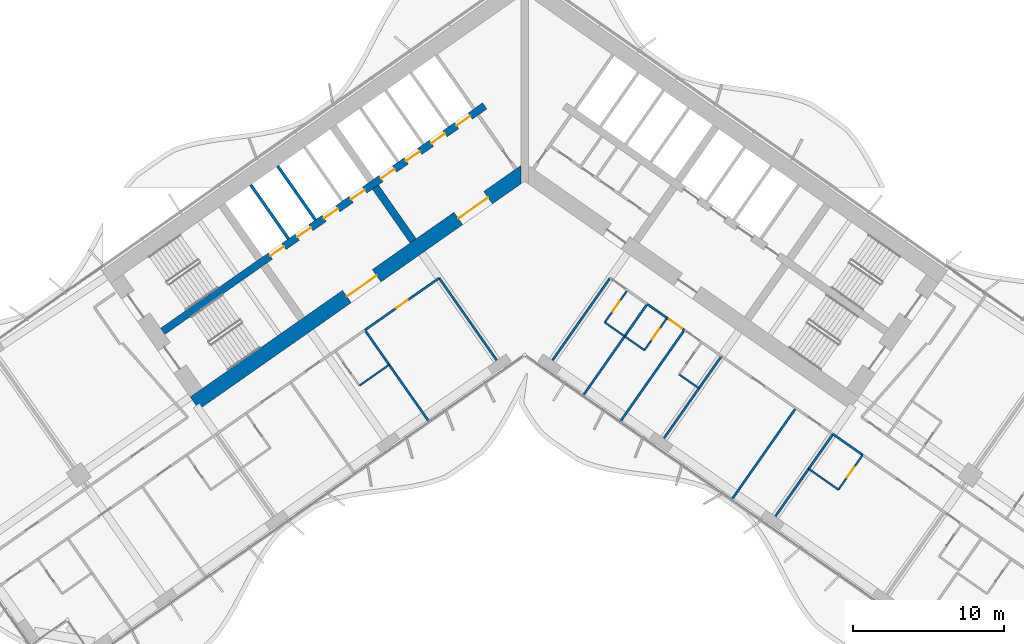
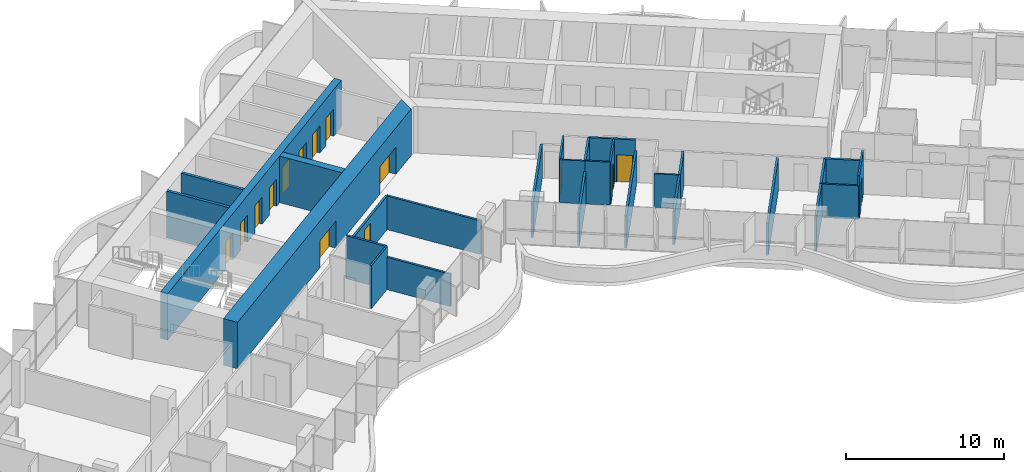
# One storey, part 13 of 23: 29 walls, 15 doors, 15 openings.
"""IFC4 building model written with IfcOpenShell, lengths in metres."""

from ifc_helpers import new_model, si_unit, direction, frame, frame_2d, origin, place, context, subcontext, project, spatial, polyline, rectangle, outline, extrude, material, layer, layer_set, type_object, element, fill, save


model = new_model("IFC4")

# Units and contexts
model_context = context("Model", 3, precision=1e-05, world=origin(), true_north=direction((0.0, 1.0)))
body_context = subcontext(model_context, "Body", "Model", "MODEL_VIEW")
ifc_project = project(units=[si_unit("LENGTHUNIT", "METRE"), si_unit("AREAUNIT", "SQUARE_METRE"), si_unit("VOLUMEUNIT", "CUBIC_METRE"), si_unit("PLANEANGLEUNIT", "RADIAN"), si_unit("MASSUNIT", "GRAM", prefix="KILO")], contexts=[model_context])

# Site, building, storey
site_placement = place(None, origin())
site = spatial("IfcSite", under=ifc_project, at=site_placement, CompositionType="ELEMENT")
building_placement = place(site_placement, origin())
building = spatial("IfcBuilding", under=site, at=building_placement, Name="Tel Ilan Convention Tower", CompositionType="ELEMENT")
storey_placement = place(building_placement, frame((0.0, 0.0, 112.10009765625)))
storey = spatial("IfcBuildingStorey", under=building, at=storey_placement, Name="L24", CompositionType="ELEMENT", Elevation=112.10009765625)

# Wall, openings, doors
ifc_material_1 = material(Name="Concrete C60/75", Category="concrete")
ifc_layer_1 = layer(ifc_material_1, 1.0)
ifc_layer_set_1 = layer_set([ifc_layer_1], Name="Core Shear Wall 1000 mm C60/75")
wall_type_1 = type_object("IfcWallType", Name="Core Shear Wall 1000 mm C60/75", PredefinedType="SHEAR", material=ifc_layer_set_1)
wall_1_placement = place(storey_placement, frame((0.036865234375, -0.584716796875, 0.0), z_axis=(0.0, 0.0, 1.0), x_axis=(-0.819157152511, -0.573569140985, 0.0)))
wall_1 = element("IfcWall", 1, at=wall_1_placement, inside=storey, type_object=wall_type_1, Name="L24 core wall W-front", PredefinedType="SHEAR", context=body_context, shape_type="SweptSolid", body=[
    extrude(outline(polyline([(26.69482421875, 0.500244140625), (0.7001953125, 0.499755859375), (0.0, -0.5), (26.69482421875, -0.499755859375), (26.69482421875, 0.500244140625)])), origin(), (0.0, 0.0, 1.0), 3.599853515625),
])
opening_1_placement = place(wall_1_placement, frame((2.994873046875, 0.0, 0.0)))
opening_1 = element("IfcOpeningElement", 2, at=opening_1_placement, cuts=wall_1, Name="Opening CD2005", PredefinedType="OPENING", context=body_context, shape_type="SweptSolid", body=[
    extrude(rectangle(XDim=2.39990234375, YDim=2.10009765625, at=frame_2d((1.199951171875, 1.050048828125))), frame((0.0, 0.510009765625, 0.0), z_axis=(0.0, -1.0, 0.0), x_axis=(1.0, 0.0, 0.0)), (0.0, 0.0, 1.0), 1.02001953125),
])
opening_2_placement = place(wall_1_placement, frame((11.994873046875, 0.0, 0.0)))
opening_2 = element("IfcOpeningElement", 3, at=opening_2_placement, cuts=wall_1, Name="Opening CD2006", PredefinedType="OPENING", context=body_context, shape_type="SweptSolid", body=[
    extrude(rectangle(XDim=2.39990234375, YDim=2.10009765625, at=frame_2d((1.199951171875, 1.050048828125))), frame((0.0, 0.510009765625, 0.0), z_axis=(0.0, -1.0, 0.0), x_axis=(1.0, 0.0, 0.0)), (0.0, 0.0, 1.0), 1.02001953125),
])
ifc_material_2 = material(Name="Glazed Aluminium Door Leaf", Category="aluminium")
door_type_1 = type_object("IfcDoorType", Name="Lobby Opening Door 2400 x 2100 FD60S", OperationType="NOTDEFINED", PredefinedType="DOOR", material=ifc_material_2)
door_1_placement = place(opening_1_placement, origin())
door_1 = element("IfcDoor", 4, at=door_1_placement, inside=storey, type_object=door_type_1, Name="Lift Lobby LR1-LR4 opening", OperationType="DOUBLE_DOOR_SINGLE_SWING", OverallHeight=2.10009765625, OverallWidth=2.39990234375, PredefinedType="DOOR", context=body_context, shape_type="SweptSolid", body=[
    extrude(rectangle(XDim=2.39990234375, YDim=2.10009765625, at=frame_2d((1.199951171875, 1.050048828125))), frame((0.0, 0.02490234375, 0.0), z_axis=(0.0, -1.0, 0.0), x_axis=(1.0, 0.0, 0.0)), (0.0, 0.0, 1.0), 0.050048828125),
])
fill(opening_1, door_1)
door_2_placement = place(opening_2_placement, origin())
door_2 = element("IfcDoor", 5, at=door_2_placement, inside=storey, type_object=door_type_1, Name="Lift Lobby LR5-LR8 opening", OperationType="DOUBLE_DOOR_SINGLE_SWING", OverallHeight=2.10009765625, OverallWidth=2.39990234375, PredefinedType="DOOR", context=body_context, shape_type="SweptSolid", body=[
    extrude(rectangle(XDim=2.39990234375, YDim=2.10009765625, at=frame_2d((1.199951171875, 1.050048828125))), frame((0.0, 0.02490234375, 0.0), z_axis=(0.0, -1.0, 0.0), x_axis=(1.0, 0.0, 0.0)), (0.0, 0.0, 1.0), 0.050048828125),
])
fill(opening_2, door_2)

# Wall
ifc_material_3 = material(Name="Concrete C60/75", Category="concrete")
ifc_layer_2 = layer(ifc_material_3, 0.5)
ifc_layer_set_2 = layer_set([ifc_layer_2], Name="Core Shear Wall 500 mm C60/75")
wall_type_2 = type_object("IfcWallType", Name="Core Shear Wall 500 mm C60/75", PredefinedType="SHEAR", material=ifc_layer_set_2)
wall_2_placement = place(storey_placement, frame((-7.372314453125, -5.162109375, 0.0), z_axis=(0.0, 0.0, 1.0), x_axis=(-0.573594173421, 0.819139624372, 0.0)))
element("IfcWall", 6, at=wall_2_placement, inside=storey, type_object=wall_type_2, Name="L24 core wall W-cross1-1", PredefinedType="SHEAR", context=body_context, shape_type="SweptSolid", body=[
    extrude(outline(polyline([(4.349853515625, 0.25), (0.0, 0.250244140625), (0.0, -0.25), (4.349853515625, -0.25), (4.349853515625, 0.25)])), origin(), (0.0, 0.0, 1.0), 3.599853515625),
])

# Wall, openings, doors
wall_3_placement = place(storey_placement, frame((-2.638427734375, 3.76806640625, 0.0), z_axis=(0.0, 0.0, 1.0), x_axis=(-0.819148977158, -0.573580816643, 0.0)))
wall_3 = element("IfcWall", 7, at=wall_3_placement, inside=storey, type_object=wall_type_2, Name="L24 core wall W-spine", PredefinedType="SHEAR", context=body_context, shape_type="SweptSolid", body=[
    extrude(outline(polyline([(26.0, 0.249755859375), (0.0, 0.25), (0.0, -0.25), (26.0, -0.250244140625), (26.0, 0.249755859375)])), origin(), (0.0, 0.0, 1.0), 3.599853515625),
])
opening_3_placement = place(wall_3_placement, frame((1.168701171875, 0.0, 0.0)))
opening_3 = element("IfcOpeningElement", 8, at=opening_3_placement, cuts=wall_3, Name="Opening LD2004", PredefinedType="OPENING", context=body_context, shape_type="SweptSolid", body=[
    extrude(rectangle(XDim=1.10009765625, YDim=2.10009765625, at=frame_2d((0.550048828125, 1.050048828125))), frame((0.0, 0.260009765625, 0.0), z_axis=(0.0, -1.0, 0.0), x_axis=(1.0, 0.0, 0.0)), (0.0, 0.0, 1.0), 0.52001953125),
])
opening_4_placement = place(wall_3_placement, frame((3.206298828125, 0.0, 0.0)))
opening_4 = element("IfcOpeningElement", 9, at=opening_4_placement, cuts=wall_3, Name="Opening LD2005", PredefinedType="OPENING", context=body_context, shape_type="SweptSolid", body=[
    extrude(rectangle(XDim=1.10009765625, YDim=2.10009765625, at=frame_2d((0.550048828125, 1.050048828125))), frame((0.0, 0.260009765625, 0.0), z_axis=(0.0, -1.0, 0.0), x_axis=(1.0, 0.0, 0.0)), (0.0, 0.0, 1.0), 0.52001953125),
])
opening_5_placement = place(wall_3_placement, frame((5.24365234375, 0.0, 0.0)))
opening_5 = element("IfcOpeningElement", 10, at=opening_5_placement, cuts=wall_3, Name="Opening LD2006", PredefinedType="OPENING", context=body_context, shape_type="SweptSolid", body=[
    extrude(rectangle(XDim=1.10009765625, YDim=2.10009765625, at=frame_2d((0.550048828125, 1.050048828125))), frame((0.0, 0.260009765625, 0.0), z_axis=(0.0, -1.0, 0.0), x_axis=(1.0, 0.0, 0.0)), (0.0, 0.0, 1.0), 0.52001953125),
])
opening_6_placement = place(wall_3_placement, frame((7.28125, 0.0, 0.0)))
opening_6 = element("IfcOpeningElement", 11, at=opening_6_placement, cuts=wall_3, Name="Opening LD2007", PredefinedType="OPENING", context=body_context, shape_type="SweptSolid", body=[
    extrude(rectangle(XDim=1.10009765625, YDim=2.10009765625, at=frame_2d((0.550048828125, 1.050048828125))), frame((0.0, 0.260009765625, 0.0), z_axis=(0.0, -1.0, 0.0), x_axis=(1.0, 0.0, 0.0)), (0.0, 0.0, 1.0), 0.52001953125),
])
opening_7_placement = place(wall_3_placement, frame((9.6875, 0.0, 0.0)))
opening_7 = element("IfcOpeningElement", 12, at=opening_7_placement, cuts=wall_3, Name="Opening LD2008", PredefinedType="OPENING", context=body_context, shape_type="SweptSolid", body=[
    extrude(rectangle(XDim=1.10009765625, YDim=2.10009765625, at=frame_2d((0.550048828125, 1.050048828125))), frame((0.0, 0.260009765625, 0.0), z_axis=(0.0, -1.0, 0.0), x_axis=(1.0, 0.0, 0.0)), (0.0, 0.0, 1.0), 0.52001953125),
])
opening_8_placement = place(wall_3_placement, frame((11.862548828125, 0.0, 0.0)))
opening_8 = element("IfcOpeningElement", 13, at=opening_8_placement, cuts=wall_3, Name="Opening LD2009", PredefinedType="OPENING", context=body_context, shape_type="SweptSolid", body=[
    extrude(rectangle(XDim=1.10009765625, YDim=2.10009765625, at=frame_2d((0.550048828125, 1.050048828125))), frame((0.0, 0.260009765625, 0.0), z_axis=(0.0, -1.0, 0.0), x_axis=(1.0, 0.0, 0.0)), (0.0, 0.0, 1.0), 0.52001953125),
])
opening_9_placement = place(wall_3_placement, frame((14.03759765625, 0.0, 0.0)))
opening_9 = element("IfcOpeningElement", 14, at=opening_9_placement, cuts=wall_3, Name="Opening LD2010", PredefinedType="OPENING", context=body_context, shape_type="SweptSolid", body=[
    extrude(rectangle(XDim=1.10009765625, YDim=2.10009765625, at=frame_2d((0.550048828125, 1.050048828125))), frame((0.0, 0.260009765625, 0.0), z_axis=(0.0, -1.0, 0.0), x_axis=(1.0, 0.0, 0.0)), (0.0, 0.0, 1.0), 0.52001953125),
])
opening_10_placement = place(wall_3_placement, frame((16.21240234375, 0.0, 0.0)))
opening_10 = element("IfcOpeningElement", 15, at=opening_10_placement, cuts=wall_3, Name="Opening LD2011", PredefinedType="OPENING", context=body_context, shape_type="SweptSolid", body=[
    extrude(rectangle(XDim=1.10009765625, YDim=2.10009765625, at=frame_2d((0.550048828125, 1.050048828125))), frame((0.0, 0.260009765625, 0.0), z_axis=(0.0, -1.0, 0.0), x_axis=(1.0, 0.0, 0.0)), (0.0, 0.0, 1.0), 0.52001953125),
])
ifc_material_4 = material(Name="Stainless Steel Sliding Door Leaf", Category="steel")
door_type_2 = type_object("IfcDoorType", Name="Lift Landing Door 1100 x 2100 FD120", OperationType="NOTDEFINED", PredefinedType="DOOR", material=ifc_material_4)
door_3_placement = place(opening_3_placement, origin())
door_3 = element("IfcDoor", 16, at=door_3_placement, inside=storey, type_object=door_type_2, Name="Lift LR1 landing door", OperationType="SLIDING_TO_LEFT", OverallHeight=2.10009765625, OverallWidth=1.10009765625, PredefinedType="DOOR", context=body_context, shape_type="SweptSolid", body=[
    extrude(rectangle(XDim=1.10009765625, YDim=2.10009765625, at=frame_2d((0.550048828125, 1.050048828125))), frame((0.0, 0.02490234375, 0.0), z_axis=(0.0, -1.0, 0.0), x_axis=(1.0, 0.0, 0.0)), (0.0, 0.0, 1.0), 0.050048828125),
])
fill(opening_3, door_3)
door_4_placement = place(opening_4_placement, origin())
door_4 = element("IfcDoor", 17, at=door_4_placement, inside=storey, type_object=door_type_2, Name="Lift LR2 landing door", OperationType="SLIDING_TO_RIGHT", OverallHeight=2.10009765625, OverallWidth=1.10009765625, PredefinedType="DOOR", context=body_context, shape_type="SweptSolid", body=[
    extrude(rectangle(XDim=1.10009765625, YDim=2.10009765625, at=frame_2d((0.550048828125, 1.050048828125))), frame((0.0, 0.02490234375, 0.0), z_axis=(0.0, -1.0, 0.0), x_axis=(1.0, 0.0, 0.0)), (0.0, 0.0, 1.0), 0.050048828125),
])
fill(opening_4, door_4)
door_5_placement = place(opening_5_placement, origin())
door_5 = element("IfcDoor", 18, at=door_5_placement, inside=storey, type_object=door_type_2, Name="Lift LR3 landing door", OperationType="SLIDING_TO_LEFT", OverallHeight=2.10009765625, OverallWidth=1.10009765625, PredefinedType="DOOR", context=body_context, shape_type="SweptSolid", body=[
    extrude(rectangle(XDim=1.10009765625, YDim=2.10009765625, at=frame_2d((0.550048828125, 1.050048828125))), frame((0.0, 0.02490234375, 0.0), z_axis=(0.0, -1.0, 0.0), x_axis=(1.0, 0.0, 0.0)), (0.0, 0.0, 1.0), 0.050048828125),
])
fill(opening_5, door_5)
door_6_placement = place(opening_6_placement, origin())
door_6 = element("IfcDoor", 19, at=door_6_placement, inside=storey, type_object=door_type_2, Name="Lift LR4 landing door", OperationType="SLIDING_TO_RIGHT", OverallHeight=2.10009765625, OverallWidth=1.10009765625, PredefinedType="DOOR", context=body_context, shape_type="SweptSolid", body=[
    extrude(rectangle(XDim=1.10009765625, YDim=2.10009765625, at=frame_2d((0.550048828125, 1.050048828125))), frame((0.0, 0.02490234375, 0.0), z_axis=(0.0, -1.0, 0.0), x_axis=(1.0, 0.0, 0.0)), (0.0, 0.0, 1.0), 0.050048828125),
])
fill(opening_6, door_6)
door_7_placement = place(opening_7_placement, origin())
door_7 = element("IfcDoor", 20, at=door_7_placement, inside=storey, type_object=door_type_2, Name="Lift LR5 landing door", OperationType="SLIDING_TO_LEFT", OverallHeight=2.10009765625, OverallWidth=1.10009765625, PredefinedType="DOOR", context=body_context, shape_type="SweptSolid", body=[
    extrude(rectangle(XDim=1.10009765625, YDim=2.10009765625, at=frame_2d((0.550048828125, 1.050048828125))), frame((0.0, 0.02490234375, 0.0), z_axis=(0.0, -1.0, 0.0), x_axis=(1.0, 0.0, 0.0)), (0.0, 0.0, 1.0), 0.050048828125),
])
fill(opening_7, door_7)
door_8_placement = place(opening_8_placement, origin())
door_8 = element("IfcDoor", 21, at=door_8_placement, inside=storey, type_object=door_type_2, Name="Lift LR6 landing door", OperationType="SLIDING_TO_RIGHT", OverallHeight=2.10009765625, OverallWidth=1.10009765625, PredefinedType="DOOR", context=body_context, shape_type="SweptSolid", body=[
    extrude(rectangle(XDim=1.10009765625, YDim=2.10009765625, at=frame_2d((0.550048828125, 1.050048828125))), frame((0.0, 0.02490234375, 0.0), z_axis=(0.0, -1.0, 0.0), x_axis=(1.0, 0.0, 0.0)), (0.0, 0.0, 1.0), 0.050048828125),
])
fill(opening_8, door_8)
door_9_placement = place(opening_9_placement, origin())
door_9 = element("IfcDoor", 22, at=door_9_placement, inside=storey, type_object=door_type_2, Name="Lift LR7 landing door", OperationType="SLIDING_TO_LEFT", OverallHeight=2.10009765625, OverallWidth=1.10009765625, PredefinedType="DOOR", context=body_context, shape_type="SweptSolid", body=[
    extrude(rectangle(XDim=1.10009765625, YDim=2.10009765625, at=frame_2d((0.550048828125, 1.050048828125))), frame((0.0, 0.02490234375, 0.0), z_axis=(0.0, -1.0, 0.0), x_axis=(1.0, 0.0, 0.0)), (0.0, 0.0, 1.0), 0.050048828125),
])
fill(opening_9, door_9)
door_10_placement = place(opening_10_placement, origin())
door_10 = element("IfcDoor", 23, at=door_10_placement, inside=storey, type_object=door_type_2, Name="Lift LR8 landing door", OperationType="SLIDING_TO_RIGHT", OverallHeight=2.10009765625, OverallWidth=1.10009765625, PredefinedType="DOOR", context=body_context, shape_type="SweptSolid", body=[
    extrude(rectangle(XDim=1.10009765625, YDim=2.10009765625, at=frame_2d((0.550048828125, 1.050048828125))), frame((0.0, 0.02490234375, 0.0), z_axis=(0.0, -1.0, 0.0), x_axis=(1.0, 0.0, 0.0)), (0.0, 0.0, 1.0), 0.050048828125),
])
fill(opening_10, door_10)

# Wall, opening, door
ifc_material_5 = material(Name="Plasterboard on Steel Studs", Category="steel")
ifc_layer_3 = layer(ifc_material_5, 0.14990234375)
ifc_layer_set_3 = layer_set([ifc_layer_3], Name="Fire-rated Partition 150 EI 60")
wall_type_3 = type_object("IfcWallType", Name="Fire-rated Partition 150 EI 60", PredefinedType="PARTITIONING", material=ifc_layer_set_3)
wall_4_placement = place(storey_placement, frame((10.568115234375, -11.062255859375, 0.0), z_axis=(0.0, 0.0, 1.0), x_axis=(-0.81914197737, 0.573590813132, 0.0)))
wall_4 = element("IfcWall", 24, at=wall_4_placement, inside=storey, type_object=wall_type_3, Name="Partition 009", PredefinedType="PARTITIONING", context=body_context, shape_type="SweptSolid", body=[
    extrude(rectangle(XDim=1.40283203125, YDim=0.14990234375, at=frame_2d((0.701416015625, 0.0))), origin(), (0.0, 0.0, 1.0), 3.31982421875),
])
opening_11_placement = place(wall_4_placement, frame((0.201904296875, 0.0, 0.0)))
opening_11 = element("IfcOpeningElement", 25, at=opening_11_placement, cuts=wall_4, Name="Opening L24-016", PredefinedType="OPENING", context=body_context, shape_type="SweptSolid", body=[
    extrude(rectangle(XDim=1.0, YDim=2.10009765625, at=frame_2d((0.5, 1.050048828125))), frame((0.0, 0.0849609375, 0.0), z_axis=(0.0, -1.0, 0.0), x_axis=(1.0, 0.0, 0.0)), (0.0, 0.0, 1.0), 0.169921875),
])
ifc_material_6 = material(Name="Timber Door Leaf in Steel Frame", Category="steel")
door_type_3 = type_object("IfcDoorType", Name="Hotel Room Entrance Fire Door 1000x2100", OperationType="NOTDEFINED", PredefinedType="DOOR", material=ifc_material_6)
door_11_placement = place(opening_11_placement, origin())
door_11 = element("IfcDoor", 26, at=door_11_placement, inside=storey, type_object=door_type_3, Name="Door L24-016", OperationType="SINGLE_SWING_LEFT", OverallHeight=2.10009765625, OverallWidth=1.0, PredefinedType="DOOR", context=body_context, shape_type="SweptSolid", body=[
    extrude(rectangle(XDim=1.0, YDim=2.10009765625, at=frame_2d((0.5, 1.050048828125))), frame((0.0, 0.02490234375, 0.0), z_axis=(0.0, -1.0, 0.0), x_axis=(1.0, 0.0, 0.0)), (0.0, 0.0, 1.0), 0.050048828125),
])
fill(opening_11, door_11)

# Walls
wall_5_placement = place(storey_placement, frame((9.42138671875, -10.25927734375, 0.0), z_axis=(0.0, 0.0, 1.0), x_axis=(-0.819117502046, 0.573625764625, 0.0)))
element("IfcWall", 27, at=wall_5_placement, inside=storey, type_object=wall_type_3, Name="Partition 010", PredefinedType="PARTITIONING", context=body_context, shape_type="SweptSolid", body=[
    extrude(rectangle(XDim=1.60400390625, YDim=0.14990234375, at=frame_2d((0.802001953125, 0.0))), origin(), (0.0, 0.0, 1.0), 3.31982421875),
])
wall_6_placement = place(storey_placement, frame((22.364013671875, -19.32177734375, 0.0), z_axis=(0.0, 0.0, 1.0), x_axis=(-0.819146032251, 0.573585022335, 0.0)))
element("IfcWall", 28, at=wall_6_placement, inside=storey, type_object=wall_type_3, Name="Partition 016", PredefinedType="PARTITIONING", context=body_context, shape_type="SweptSolid", body=[
    extrude(rectangle(XDim=2.404052734375, YDim=0.14990234375, at=frame_2d((1.2021484375, 0.0))), origin(), (0.0, 0.0, 1.0), 2.599853515625),
])

# Wall, opening, door
wall_7_placement = place(storey_placement, frame((-5.651611328125, -7.61962890625, 0.0), z_axis=(0.0, 0.0, 1.0), x_axis=(-0.819147828287, -0.573582457378, 0.0)))
wall_7 = element("IfcWall", 29, at=wall_7_placement, inside=storey, type_object=wall_type_3, Name="Partition 023", PredefinedType="PARTITIONING", context=body_context, shape_type="SweptSolid", body=[
    extrude(rectangle(XDim=6.001953125, YDim=0.14990234375, at=frame_2d((3.0009765625, 0.0))), origin(), (0.0, 0.0, 1.0), 2.599853515625),
])
opening_12_placement = place(wall_7_placement, frame((2.551025390625, 0.0, 0.0)))
opening_12 = element("IfcOpeningElement", 30, at=opening_12_placement, cuts=wall_7, Name="Opening L24-001", PredefinedType="OPENING", context=body_context, shape_type="SweptSolid", body=[
    extrude(rectangle(XDim=0.89990234375, YDim=2.10009765625, at=frame_2d((0.449951171875, 1.050048828125))), frame((0.0, 0.0849609375, 0.0), z_axis=(0.0, -1.0, 0.0), x_axis=(1.0, 0.0, 0.0)), (0.0, 0.0, 1.0), 0.169921875),
])
ifc_material_7 = material(Name="Timber Door Leaf in Steel Frame", Category="steel")
door_type_4 = type_object("IfcDoorType", Name="Room Fire Door 900x2100", OperationType="NOTDEFINED", PredefinedType="DOOR", material=ifc_material_7)
door_12_placement = place(opening_12_placement, origin())
door_12 = element("IfcDoor", 31, at=door_12_placement, inside=storey, type_object=door_type_4, Name="Door L24-001", OperationType="SINGLE_SWING_LEFT", OverallHeight=2.10009765625, OverallWidth=0.89990234375, PredefinedType="DOOR", context=body_context, shape_type="SweptSolid", body=[
    extrude(rectangle(XDim=0.89990234375, YDim=2.10009765625, at=frame_2d((0.449951171875, 1.050048828125))), frame((0.0, 0.02490234375, 0.0), z_axis=(0.0, -1.0, 0.0), x_axis=(1.0, 0.0, 0.0)), (0.0, 0.0, 1.0), 0.050048828125),
])
fill(opening_12, door_12)

# Walls
wall_8_placement = place(storey_placement, frame((6.6171875, -11.470947265625, 0.0), z_axis=(0.0, 0.0, 1.0), x_axis=(-0.573535567792, -0.819180659243, 0.0)))
element("IfcWall", 32, at=wall_8_placement, inside=storey, type_object=wall_type_3, Name="Partition 048", PredefinedType="PARTITIONING", context=body_context, shape_type="SweptSolid", body=[
    extrude(rectangle(XDim=4.698974609375, YDim=0.14990234375, at=frame_2d((2.349609375, 0.0))), origin(), (0.0, 0.0, 1.0), 2.5),
])
wall_9_placement = place(storey_placement, frame((1.848876953125, -13.050537109375, 0.0), z_axis=(0.0, 0.0, 1.0), x_axis=(0.57357355307, 0.819154063177, 0.0)))
element("IfcWall", 33, at=wall_9_placement, inside=storey, type_object=wall_type_3, Name="Partition 049", PredefinedType="PARTITIONING", context=body_context, shape_type="SweptSolid", body=[
    extrude(rectangle(XDim=6.6298828125, YDim=0.14990234375, at=frame_2d((3.31494140625, 0.0))), origin(), (0.0, 0.0, 1.0), 2.599853515625),
])
wall_10_placement = place(storey_placement, frame((8.109130859375, -9.34033203125, 0.0), z_axis=(0.0, 0.0, 1.0), x_axis=(-0.573537965655, -0.819178980414, 0.0)))
element("IfcWall", 34, at=wall_10_placement, inside=storey, type_object=wall_type_3, Name="Partition 050", PredefinedType="PARTITIONING", context=body_context, shape_type="SweptSolid", body=[
    extrude(rectangle(XDim=2.60009765625, YDim=0.14990234375, at=frame_2d((1.300048828125, 0.0))), origin(), (0.0, 0.0, 1.0), 3.31982421875),
])
wall_11_placement = place(storey_placement, frame((10.566650390625, -11.06103515625, 0.0), z_axis=(0.0, 0.0, 1.0), x_axis=(-0.573579051994, -0.81915021279, 0.0)))
element("IfcWall", 35, at=wall_11_placement, inside=storey, type_object=wall_type_3, Name="Partition 053", PredefinedType="PARTITIONING", context=body_context, shape_type="SweptSolid", body=[
    extrude(rectangle(XDim=7.30029296875, YDim=0.14990234375, at=frame_2d((3.650146484375, 0.0))), origin(), (0.0, 0.0, 1.0), 2.5),
])
wall_12_placement = place(storey_placement, frame((11.531982421875, -14.912353515625, 0.0), z_axis=(0.0, 0.0, 1.0), x_axis=(-0.573531477532, -0.819183522954, 0.0)))
element("IfcWall", 36, at=wall_12_placement, inside=storey, type_object=wall_type_3, Name="Partition 056", PredefinedType="PARTITIONING", context=body_context, shape_type="SweptSolid", body=[
    extrude(rectangle(XDim=4.029052734375, YDim=0.14990234375, at=frame_2d((2.0146484375, 0.0))), origin(), (0.0, 0.0, 1.0), 2.599853515625),
])
wall_13_placement = place(storey_placement, frame((13.02392578125, -12.78173828125, 0.0), z_axis=(0.0, 0.0, 1.0), x_axis=(-0.573537965655, -0.819178980414, 0.0)))
element("IfcWall", 37, at=wall_13_placement, inside=storey, type_object=wall_type_3, Name="Partition 057", PredefinedType="PARTITIONING", context=body_context, shape_type="SweptSolid", body=[
    extrude(rectangle(XDim=2.60009765625, YDim=0.14990234375, at=frame_2d((1.300048828125, 0.0))), origin(), (0.0, 0.0, 1.0), 2.599853515625),
])
wall_14_placement = place(storey_placement, frame((17.93896484375, -16.223388671875, 0.0), z_axis=(0.0, 0.0, 1.0), x_axis=(-0.573594765376, -0.819139209862, 0.0)))
element("IfcWall", 38, at=wall_14_placement, inside=storey, type_object=wall_type_3, Name="Partition 058", PredefinedType="PARTITIONING", context=body_context, shape_type="SweptSolid", body=[
    extrude(rectangle(XDim=7.300048828125, YDim=0.14990234375, at=frame_2d((3.64990234375, 0.0))), origin(), (0.0, 0.0, 1.0), 2.5),
])
wall_15_placement = place(storey_placement, frame((18.791015625, -20.23681640625, 0.0), z_axis=(0.0, 0.0, 1.0), x_axis=(-0.57359919792, -0.819136105995, 0.0)))
element("IfcWall", 39, at=wall_15_placement, inside=storey, type_object=wall_type_3, Name="Partition 059", PredefinedType="PARTITIONING", context=body_context, shape_type="SweptSolid", body=[
    extrude(rectangle(XDim=3.8310546875, YDim=0.14990234375, at=frame_2d((1.91552734375, 0.0))), origin(), (0.0, 0.0, 1.0), 2.599853515625),
])
wall_16_placement = place(storey_placement, frame((20.396484375, -17.944091796875, 0.0), z_axis=(0.0, 0.0, 1.0), x_axis=(-0.573596837309, -0.819137759006, 0.0)))
element("IfcWall", 40, at=wall_16_placement, inside=storey, type_object=wall_type_3, Name="Partition 060", PredefinedType="PARTITIONING", context=body_context, shape_type="SweptSolid", body=[
    extrude(rectangle(XDim=2.802001953125, YDim=0.14990234375, at=frame_2d((1.40087890625, 0.0))), origin(), (0.0, 0.0, 1.0), 2.599853515625),
])
wall_17_placement = place(storey_placement, frame((-1.848876953125, -13.050537109375, 0.0), z_axis=(0.0, 0.0, 1.0), x_axis=(-0.573575988258, 0.819152358047, 0.0)))
element("IfcWall", 41, at=wall_17_placement, inside=storey, type_object=wall_type_3, Name="Partition 070", PredefinedType="PARTITIONING", context=body_context, shape_type="SweptSolid", body=[
    extrude(rectangle(XDim=6.632080078125, YDim=0.14990234375, at=frame_2d((3.31591796875, 0.0))), origin(), (0.0, 0.0, 1.0), 2.599853515625),
])
wall_18_placement = place(storey_placement, frame((-6.37939453125, -17.041015625, 0.0), z_axis=(0.0, 0.0, 1.0), x_axis=(-0.573593387921, 0.81914017441, 0.0)))
element("IfcWall", 42, at=wall_18_placement, inside=storey, type_object=wall_type_3, Name="Partition 076", PredefinedType="PARTITIONING", context=body_context, shape_type="SweptSolid", body=[
    extrude(rectangle(XDim=4.5009765625, YDim=0.14990234375, at=frame_2d((2.25048828125, 0.0))), origin(), (0.0, 0.0, 1.0), 2.5),
])
wall_19_placement = place(storey_placement, frame((-8.95947265625, -13.3564453125, 0.0), z_axis=(0.0, 0.0, 1.0), x_axis=(-0.573555899632, 0.819166423871, 0.0)))
element("IfcWall", 43, at=wall_19_placement, inside=storey, type_object=wall_type_3, Name="Partition 077", PredefinedType="PARTITIONING", context=body_context, shape_type="SweptSolid", body=[
    extrude(rectangle(XDim=2.80224609375, YDim=0.14990234375, at=frame_2d((1.401123046875, 0.0))), origin(), (0.0, 0.0, 1.0), 3.31982421875),
])
ifc_material_8 = material(Name="Concrete C30/37", Category="concrete")
ifc_layer_4 = layer(ifc_material_8, 0.199951171875)
ifc_layer_set_4 = layer_set([ifc_layer_4], Name="Lift Shaft Wall 200 mm C30/37")
wall_type_4 = type_object("IfcWallType", Name="Lift Shaft Wall 200 mm C30/37", PredefinedType="SOLIDWALL", material=ifc_layer_set_4)
wall_20_placement = place(storey_placement, frame((-13.84033203125, -3.7705078125, 0.0), z_axis=(0.0, 0.0, 1.0), x_axis=(-0.57356780395, 0.819158088694, 0.0)))
element("IfcWall", 44, at=wall_20_placement, inside=storey, type_object=wall_type_4, Name="L24 core wall bank-W2-p1", PredefinedType="SOLIDWALL", context=body_context, shape_type="SweptSolid", body=[
    extrude(rectangle(XDim=4.35009765625, YDim=0.199951171875, at=frame_2d((2.175048828125, 0.0))), origin(), (0.0, 0.0, 1.0), 3.599853515625),
])
wall_21_placement = place(storey_placement, frame((-15.6220703125, -5.017822265625, 0.0), z_axis=(0.0, 0.0, 1.0), x_axis=(-0.573594173421, 0.819139624372, 0.0)))
element("IfcWall", 45, at=wall_21_placement, inside=storey, type_object=wall_type_4, Name="L24 core wall bank-W2-p2", PredefinedType="SOLIDWALL", context=body_context, shape_type="SweptSolid", body=[
    extrude(rectangle(XDim=4.349853515625, YDim=0.199951171875, at=frame_2d((2.1748046875, 0.0))), origin(), (0.0, 0.0, 1.0), 3.599853515625),
])

# Wall, opening, door
ifc_material_9 = material(Name="Plasterboard on Steel Studs", Category="steel")
ifc_layer_5 = layer(ifc_material_9, 0.1201171875)
ifc_layer_set_5 = layer_set([ifc_layer_5], Name="Moisture-resistant Partition 120")
wall_type_5 = type_object("IfcWallType", Name="Moisture-resistant Partition 120", PredefinedType="PARTITIONING", material=ifc_layer_set_5)
wall_22_placement = place(storey_placement, frame((6.797607421875, -8.422119140625, 0.0), z_axis=(0.0, 0.0, 1.0), x_axis=(-0.573537965655, -0.819178980414, 0.0)))
wall_22 = element("IfcWall", 46, at=wall_22_placement, inside=storey, type_object=wall_type_5, Name="Partition 046", PredefinedType="PARTITIONING", context=body_context, shape_type="SweptSolid", body=[
    extrude(rectangle(XDim=2.60009765625, YDim=0.1201171875, at=frame_2d((1.300048828125, 0.0))), origin(), (0.0, 0.0, 1.0), 3.31982421875),
])
opening_13_placement = place(wall_22_placement, frame((0.875, 0.0, 0.0)))
opening_13 = element("IfcOpeningElement", 47, at=opening_13_placement, cuts=wall_22, Name="Opening L24-013", PredefinedType="OPENING", context=body_context, shape_type="SweptSolid", body=[
    extrude(rectangle(XDim=0.85009765625, YDim=2.050048828125, at=frame_2d((0.425048828125, 1.02490234375))), frame((0.0, 0.070068359375, 0.0), z_axis=(0.0, -1.0, 0.0), x_axis=(1.0, 0.0, 0.0)), (0.0, 0.0, 1.0), 0.14013671875),
])
ifc_material_10 = material(Name="Timber Door Leaf in Steel Frame", Category="steel")
door_type_5 = type_object("IfcDoorType", Name="Bathroom Timber Door 850x2050", OperationType="NOTDEFINED", PredefinedType="DOOR", material=ifc_material_10)
door_13_placement = place(opening_13_placement, origin())
door_13 = element("IfcDoor", 48, at=door_13_placement, inside=storey, type_object=door_type_5, Name="Door L24-013", OperationType="SINGLE_SWING_RIGHT", OverallHeight=2.050048828125, OverallWidth=0.85009765625, PredefinedType="DOOR", context=body_context, shape_type="SweptSolid", body=[
    extrude(rectangle(XDim=0.85009765625, YDim=2.050048828125, at=frame_2d((0.425048828125, 1.02490234375))), frame((0.0, 0.02490234375, 0.0), z_axis=(0.0, -1.0, 0.0), x_axis=(1.0, 0.0, 0.0)), (0.0, 0.0, 1.0), 0.050048828125),
])
fill(opening_13, door_13)

# Walls
wall_23_placement = place(storey_placement, frame((5.306640625, -10.55322265625, 0.0), z_axis=(0.0, 0.0, 1.0), x_axis=(0.819131543282, -0.57360571371, 0.0)))
element("IfcWall", 49, at=wall_23_placement, inside=storey, type_object=wall_type_5, Name="Partition 047", PredefinedType="PARTITIONING", context=body_context, shape_type="SweptSolid", body=[
    extrude(rectangle(XDim=1.599853515625, YDim=0.1201171875, at=frame_2d((0.7998046875, 0.0))), origin(), (0.0, 0.0, 1.0), 3.31982421875),
])
wall_24_placement = place(storey_placement, frame((6.6171875, -11.470947265625, 0.0), z_axis=(0.0, 0.0, 1.0), x_axis=(0.81918174131, -0.573534022273, 0.0)))
element("IfcWall", 50, at=wall_24_placement, inside=storey, type_object=wall_type_5, Name="Partition 051", PredefinedType="PARTITIONING", context=body_context, shape_type="SweptSolid", body=[
    extrude(rectangle(XDim=1.60009765625, YDim=0.1201171875, at=frame_2d((0.800048828125, 0.0))), origin(), (0.0, 0.0, 1.0), 3.31982421875),
])

# Wall, opening, door
wall_25_placement = place(storey_placement, frame((7.92919921875, -12.388427734375, 0.0), z_axis=(0.0, 0.0, 1.0), x_axis=(0.573645091666, 0.819103967032, 0.0)))
wall_25 = element("IfcWall", 51, at=wall_25_placement, inside=storey, type_object=wall_type_5, Name="Partition 052", PredefinedType="PARTITIONING", context=body_context, shape_type="SweptSolid", body=[
    extrude(rectangle(XDim=2.599853515625, YDim=0.1201171875, at=frame_2d((1.2998046875, 0.0))), origin(), (0.0, 0.0, 1.0), 3.31982421875),
])
opening_14_placement = place(wall_25_placement, frame((0.875, 0.0, 0.0)))
opening_14 = element("IfcOpeningElement", 52, at=opening_14_placement, cuts=wall_25, Name="Opening L24-015", PredefinedType="OPENING", context=body_context, shape_type="SweptSolid", body=[
    extrude(rectangle(XDim=0.85009765625, YDim=2.050048828125, at=frame_2d((0.425048828125, 1.02490234375))), frame((0.0, 0.070068359375, 0.0), z_axis=(0.0, -1.0, 0.0), x_axis=(1.0, 0.0, 0.0)), (0.0, 0.0, 1.0), 0.14013671875),
])
door_14_placement = place(opening_14_placement, origin())
door_14 = element("IfcDoor", 53, at=door_14_placement, inside=storey, type_object=door_type_5, Name="Door L24-015", OperationType="SINGLE_SWING_RIGHT", OverallHeight=2.050048828125, OverallWidth=0.85009765625, PredefinedType="DOOR", context=body_context, shape_type="SweptSolid", body=[
    extrude(rectangle(XDim=0.85009765625, YDim=2.050048828125, at=frame_2d((0.425048828125, 1.02490234375))), frame((0.0, 0.02490234375, 0.0), z_axis=(0.0, -1.0, 0.0), x_axis=(1.0, 0.0, 0.0)), (0.0, 0.0, 1.0), 0.050048828125),
])
fill(opening_14, door_14)

# Walls
wall_26_placement = place(storey_placement, frame((10.221435546875, -13.99462890625, 0.0), z_axis=(0.0, 0.0, 1.0), x_axis=(0.819131543282, -0.57360571371, 0.0)))
element("IfcWall", 54, at=wall_26_placement, inside=storey, type_object=wall_type_5, Name="Partition 055", PredefinedType="PARTITIONING", context=body_context, shape_type="SweptSolid", body=[
    extrude(rectangle(XDim=1.599853515625, YDim=0.1201171875, at=frame_2d((0.7998046875, 0.0))), origin(), (0.0, 0.0, 1.0), 2.599853515625),
])
wall_27_placement = place(storey_placement, frame((18.789794921875, -20.238525390625, 0.0), z_axis=(0.0, 0.0, 1.0), x_axis=(0.819188907105, -0.573523787192, 0.0)))
element("IfcWall", 55, at=wall_27_placement, inside=storey, type_object=wall_type_5, Name="Partition 061", PredefinedType="PARTITIONING", context=body_context, shape_type="SweptSolid", body=[
    extrude(rectangle(XDim=2.39990234375, YDim=0.1201171875, at=frame_2d((1.199951171875, 0.0))), origin(), (0.0, 0.0, 1.0), 2.599853515625),
])

# Wall, opening, door
wall_28_placement = place(storey_placement, frame((20.757080078125, -21.61474609375, 0.0), z_axis=(0.0, 0.0, 1.0), x_axis=(0.57364959175, 0.819100815459, 0.0)))
wall_28 = element("IfcWall", 56, at=wall_28_placement, inside=storey, type_object=wall_type_5, Name="Partition 062", PredefinedType="PARTITIONING", context=body_context, shape_type="SweptSolid", body=[
    extrude(rectangle(XDim=2.800048828125, YDim=0.1201171875, at=frame_2d((1.39990234375, 0.0))), origin(), (0.0, 0.0, 1.0), 3.31982421875),
])
opening_15_placement = place(wall_28_placement, frame((0.97509765625, 0.0, 0.0)))
opening_15 = element("IfcOpeningElement", 57, at=opening_15_placement, cuts=wall_28, Name="Opening L24-021", PredefinedType="OPENING", context=body_context, shape_type="SweptSolid", body=[
    extrude(rectangle(XDim=0.85009765625, YDim=2.050048828125, at=frame_2d((0.425048828125, 1.02490234375))), frame((0.0, 0.070068359375, 0.0), z_axis=(0.0, -1.0, 0.0), x_axis=(1.0, 0.0, 0.0)), (0.0, 0.0, 1.0), 0.14013671875),
])
door_15_placement = place(opening_15_placement, origin())
door_15 = element("IfcDoor", 58, at=door_15_placement, inside=storey, type_object=door_type_5, Name="Door L24-021", OperationType="SINGLE_SWING_LEFT", OverallHeight=2.050048828125, OverallWidth=0.85009765625, PredefinedType="DOOR", context=body_context, shape_type="SweptSolid", body=[
    extrude(rectangle(XDim=0.85009765625, YDim=2.050048828125, at=frame_2d((0.425048828125, 1.02490234375))), frame((0.0, 0.02490234375, 0.0), z_axis=(0.0, -1.0, 0.0), x_axis=(1.0, 0.0, 0.0)), (0.0, 0.0, 1.0), 0.050048828125),
])
fill(opening_15, door_15)

# Wall
wall_29_placement = place(storey_placement, frame((-10.92578125, -14.732177734375, 0.0), z_axis=(0.0, 0.0, 1.0), x_axis=(0.819107643868, 0.573639841501, 0.0)))
element("IfcWall", 59, at=wall_29_placement, inside=storey, type_object=wall_type_5, Name="Partition 079", PredefinedType="PARTITIONING", context=body_context, shape_type="SweptSolid", body=[
    extrude(rectangle(XDim=2.39990234375, YDim=0.1201171875, at=frame_2d((1.199951171875, 0.0))), origin(), (0.0, 0.0, 1.0), 3.31982421875),
])

save(model, "model.ifc")
